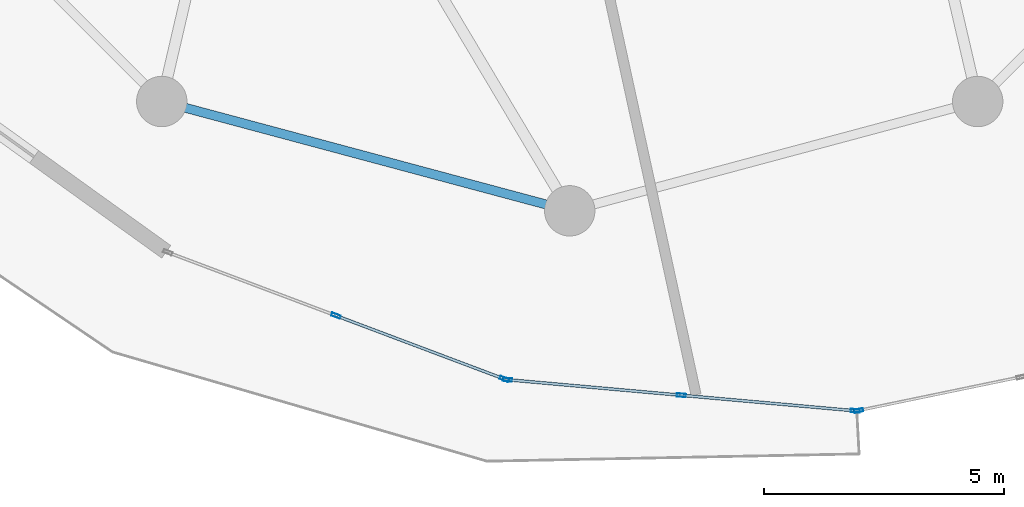
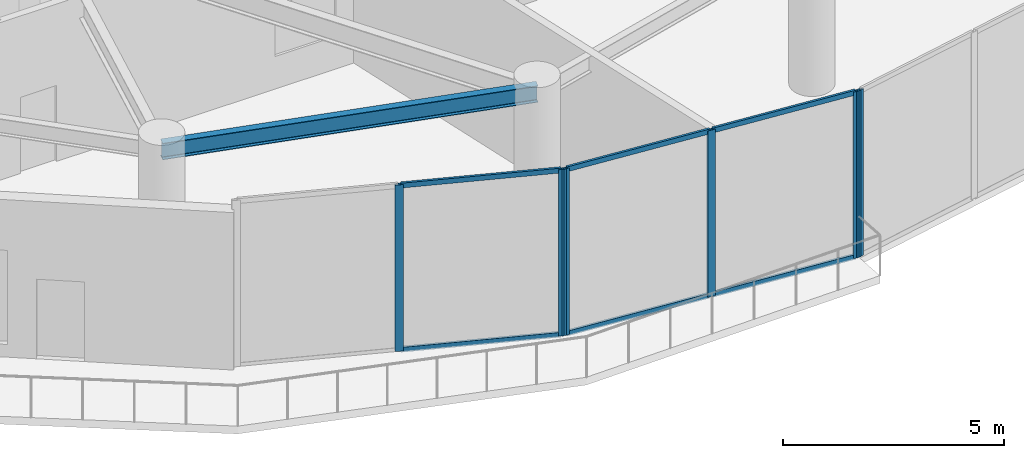
# One storey, part 4 of 28: 12 members, 1 beam, 3 elements without a shape of their own.
"""IFC4 building model written with IfcOpenShell, lengths in metres."""

import ifcopenshell
import ifcopenshell.guid

model = None  # the IFC model being written
_history = None  # IfcOwnerHistory: only IFC2X3 demands one
_inside = {}  # id of a spatial element -> (the spatial element, [elements in it])
_under = {}  # id of a project, library or spatial element -> (it, [spatial elements below it])
_declared = {}  # id of a project -> (the project, [libraries it declares])
_typed = {}  # id of a type object -> (the type object, [elements of that type])
_made_of = {}  # id of a material, layer set ... -> (it, [elements and type objects made of it])


def new_model(schema):
    """Start an empty IFC model of exactly this schema.

    Asked for "IFC4X3", IfcOpenShell would pick the latest addendum, in which some entities
    have other attributes; the version numbers below select the first issue.
    IFC2X3 requires an IfcOwnerHistory on every rooted entity: one is made here for all.
    """
    global model, _history
    if schema == "IFC4X3":
        model = ifcopenshell.file(schema_version=(4, 3, 0, 0))
    else:
        model = ifcopenshell.file(schema=schema)
    _inside.clear()
    _under.clear()
    _declared.clear()
    _typed.clear()
    _made_of.clear()
    _history = None
    if model.schema == "IFC2X3":
        org = make("IfcOrganization", Name="unknown")
        user = make(
            "IfcPersonAndOrganization",
            ThePerson=make("IfcPerson", FamilyName="unknown"),
            TheOrganization=org,
        )
        app = make(
            "IfcApplication",
            ApplicationDeveloper=org,
            Version="unknown",
            ApplicationFullName="unknown",
            ApplicationIdentifier="unknown",
        )
        _history = make(
            "IfcOwnerHistory",
            OwningUser=user,
            OwningApplication=app,
            ChangeAction="ADDED",
            CreationDate=0,
        )
    return model


def make(cls, **values):
    """One entity of the class cls with the attributes given. An attribute that is None is left unset."""
    return model.create_entity(
        cls, **{name: value for name, value in values.items() if value is not None}
    )


def rooted(cls, **values):
    """An entity with a GlobalId (a new one), such as an element, a storey or a relation."""
    return make(cls, GlobalId=ifcopenshell.guid.new(), OwnerHistory=_history, **values)


def si_unit(unit_type, name, prefix=None):
    """IfcSIUnit, for example si_unit("LENGTHUNIT", "METRE", prefix="MILLI")."""
    return make("IfcSIUnit", UnitType=unit_type, Prefix=prefix, Name=name)


def assignment(units):
    """IfcUnitAssignment: the units of a project."""
    return None if units is None else make("IfcUnitAssignment", Units=units)


def point(xyz):
    """IfcCartesianPoint."""
    return None if xyz is None else make("IfcCartesianPoint", Coordinates=xyz)


def direction(xyz):
    """IfcDirection."""
    return None if xyz is None else make("IfcDirection", DirectionRatios=xyz)


def frame(location, z_axis=None, x_axis=None):
    """IfcAxis2Placement3D, a coordinate frame: its origin and axes. An axis left out is left unset."""
    return make(
        "IfcAxis2Placement3D",
        Location=point(location),
        Axis=direction(z_axis),
        RefDirection=direction(x_axis),
    )


def frame_2d(location, x_axis=None):
    """IfcAxis2Placement2D, a coordinate frame in the plane: its origin and x axis."""
    return make(
        "IfcAxis2Placement2D", Location=point(location), RefDirection=direction(x_axis)
    )


def origin():
    """The frame at (0, 0, 0) with its axes left unset."""
    return frame((0.0, 0.0, 0.0))


def origin_2d():
    """The frame at (0, 0) in the plane with its x axis left unset."""
    return frame_2d((0.0, 0.0))


def place(relative_to, where):
    """IfcLocalPlacement: puts the frame where relative to a parent placement (None: the world)."""
    return make(
        "IfcLocalPlacement", PlacementRelTo=relative_to, RelativePlacement=where
    )


def context(
    kind, dimensions, precision=None, world=None, true_north=None, identifier=None
):
    """IfcGeometricRepresentationContext, for example the 3D "Model" context."""
    return make(
        "IfcGeometricRepresentationContext",
        ContextIdentifier=identifier,
        ContextType=kind,
        CoordinateSpaceDimension=dimensions,
        Precision=precision,
        WorldCoordinateSystem=world,
        TrueNorth=true_north,
    )


def subcontext(parent, identifier, kind, view, scale=None):
    """IfcGeometricRepresentationSubContext, for example "Body" below "Model"."""
    return make(
        "IfcGeometricRepresentationSubContext",
        ContextIdentifier=identifier,
        ContextType=kind,
        ParentContext=parent,
        TargetScale=scale,
        TargetView=view,
    )


def project(units=None, contexts=None):
    """IfcProject with its units and contexts."""
    return rooted(
        "IfcProject",
        Name="project",
        RepresentationContexts=contexts,
        UnitsInContext=assignment(units),
    )


def spatial(cls, under=None, at=None, **own):
    """A site, building, storey or space (cls), placed at a placement, below another one or the project."""
    s = rooted(cls, ObjectPlacement=at, **own)
    if under is not None:
        _under.setdefault(under.id(), (under, []))[1].append(s)
    return s


def profile(cls, at=None, kind="AREA", **sizes):
    """A parametric profile (cls). Its sizes go by their IFC names, for example OverallWidth=200.0."""
    return make(cls, ProfileType=kind, Position=at, **sizes)


def hollow_rectangle(**sizes):
    """IfcRectangleHollowProfileDef."""
    return profile("IfcRectangleHollowProfileDef", **sizes)


def i_section(**sizes):
    """IfcIShapeProfileDef."""
    return profile("IfcIShapeProfileDef", **sizes)


def extrude(swept, where, along, depth):
    """IfcExtrudedAreaSolid: the profile swept, set in the frame where, extruded along a direction by depth."""
    return make(
        "IfcExtrudedAreaSolid",
        SweptArea=swept,
        Position=where,
        ExtrudedDirection=direction(along),
        Depth=depth,
    )


def shape(context_of_items, identifier, shape_type, items):
    """IfcShapeRepresentation: the items that make up one representation, for example the "Body"."""
    return make(
        "IfcShapeRepresentation",
        ContextOfItems=context_of_items,
        RepresentationIdentifier=identifier,
        RepresentationType=shape_type,
        Items=items,
    )


def source(mapping_origin, context_of_items, identifier, shape_type, items):
    """IfcRepresentationMap: a shape defined once, which mapped items show again and again."""
    return make(
        "IfcRepresentationMap",
        MappingOrigin=mapping_origin,
        MappedRepresentation=shape(context_of_items, identifier, shape_type, items),
    )


def transform(
    local_origin,
    x_axis=None,
    y_axis=None,
    z_axis=None,
    scale=None,
    scale2=None,
    scale3=None,
    uniform=True,
):
    """IfcCartesianTransformationOperator3D, or its non-uniform kind. x_axis, y_axis, z_axis: its Axis1, 2, 3."""
    if uniform:
        return make(
            "IfcCartesianTransformationOperator3D",
            Axis1=direction(x_axis),
            Axis2=direction(y_axis),
            LocalOrigin=point(local_origin),
            Scale=scale,
            Axis3=direction(z_axis),
        )
    return make(
        "IfcCartesianTransformationOperator3DnonUniform",
        Axis1=direction(x_axis),
        Axis2=direction(y_axis),
        LocalOrigin=point(local_origin),
        Scale=scale,
        Axis3=direction(z_axis),
        Scale2=scale2,
        Scale3=scale3,
    )


def mapped(mapping_source, mapping_target):
    """IfcMappedItem: shows the shape of a source again, moved by a transform."""
    return make(
        "IfcMappedItem", MappingSource=mapping_source, MappingTarget=mapping_target
    )


def material(Name=None, Category=None):
    """IfcMaterial."""
    return make("IfcMaterial", Name=Name, Category=Category)


def layer(
    of_material, thickness, ventilated=None, Name=None, Category=None, Priority=None
):
    """IfcMaterialLayer: one layer of a wall or slab, of a material (None: an air gap)."""
    return make(
        "IfcMaterialLayer",
        Material=of_material,
        LayerThickness=thickness,
        IsVentilated=ventilated,
        Name=Name,
        Category=Category,
        Priority=Priority,
    )


def layer_set(layers, Name=None):
    """IfcMaterialLayerSet."""
    return make("IfcMaterialLayerSet", MaterialLayers=layers, LayerSetName=Name)


def material_profile(
    of_material, cross_section, Name=None, Category=None, Priority=None
):
    """IfcMaterialProfile: a cross section and its material."""
    return make(
        "IfcMaterialProfile",
        Name=Name,
        Material=of_material,
        Profile=cross_section,
        Priority=Priority,
        Category=Category,
    )


def profile_set(profiles, Name=None, composite=None):
    """IfcMaterialProfileSet."""
    return make(
        "IfcMaterialProfileSet",
        Name=Name,
        MaterialProfiles=profiles,
        CompositeProfile=composite,
    )


def made_of(thing, what):
    """Note that an element or type object is made of a material, layer set ...; save() writes the relation."""
    if what is not None:
        _made_of.setdefault(what.id(), (what, []))[1].append(thing)
    return thing


def type_object(cls, material=None, **own):
    """A type object (cls), such as IfcWallType, which elements share."""
    return made_of(rooted(cls, **own), material)


def element(
    cls,
    number,
    at=None,
    inside=None,
    cuts=None,
    type_object=None,
    material=None,
    context=None,
    identifier="Body",
    shape_type=None,
    held_by="IfcProductDefinitionShape",
    body=None,
    shapes=None,
    **own,
):
    """One element of the class cls, such as IfcWall. Its Tag is "e" and its number.

    at: its placement. inside: the storey or other place that contains it. cuts: it is an
    opening in that element (IfcRelVoidsElement). A single representation is given by context,
    identifier, shape_type and body (its items); several are given by shapes. held_by: the class
    of the entity that holds the representations. save() writes the other relations.
    """
    e = rooted(cls, Tag="e%d" % number, ObjectPlacement=at, **own)
    if body is not None:
        shapes = [shape(context, identifier, shape_type, body)]
    if shapes is not None:
        e.Representation = make(held_by, Representations=shapes)
    if inside is not None:
        _inside.setdefault(inside.id(), (inside, []))[1].append(e)
    if cuts is not None:
        rooted(
            "IfcRelVoidsElement", RelatingBuildingElement=cuts, RelatedOpeningElement=e
        )
    if type_object is not None:
        _typed.setdefault(type_object.id(), (type_object, []))[1].append(e)
    return made_of(e, material)


def aggregate(whole, parts):
    """IfcRelAggregates: a whole, such as a stair, and the parts it consists of."""
    return rooted("IfcRelAggregates", RelatingObject=whole, RelatedObjects=parts)


def save(model, path):
    """Write the relations noted so far, then the file.

    IfcRelAggregates (storeys below a building ...), IfcRelContainedInSpatialStructure (elements
    in a storey), IfcRelDefinesByType, IfcRelAssociatesMaterial and IfcRelDeclares: one each for
    every whole, place, type object, material and project.
    """
    for whole, parts in _under.values():
        aggregate(whole, parts)
    for where, things in _inside.values():
        rooted(
            "IfcRelContainedInSpatialStructure",
            RelatedElements=things,
            RelatingStructure=where,
        )
    for kind, things in _typed.values():
        rooted("IfcRelDefinesByType", RelatedObjects=things, RelatingType=kind)
    for what, things in _made_of.values():
        rooted("IfcRelAssociatesMaterial", RelatedObjects=things, RelatingMaterial=what)
    for by, libraries in _declared.values():
        rooted("IfcRelDeclares", RelatingContext=by, RelatedDefinitions=libraries)
    model.write(path)


model = new_model("IFC4")

# Units and contexts
model_context = context("Model", 3, precision=1e-05, world=origin(), true_north=direction((0.0, 1.0)))
body_context = subcontext(model_context, "Body", "Model", "MODEL_VIEW")
ifc_project = project(units=[si_unit("LENGTHUNIT", "METRE"), si_unit("AREAUNIT", "SQUARE_METRE"), si_unit("VOLUMEUNIT", "CUBIC_METRE"), si_unit("PLANEANGLEUNIT", "RADIAN"), si_unit("MASSUNIT", "GRAM", prefix="KILO")], contexts=[model_context])

# Site, building, storey
site_placement = place(None, origin())
site = spatial("IfcSite", under=ifc_project, at=site_placement, CompositionType="ELEMENT")
building_placement = place(site_placement, origin())
building = spatial("IfcBuilding", under=site, at=building_placement, Name="Solvirekh Grand Hotel", CompositionType="ELEMENT")
storey_placement = place(building_placement, frame((0.0, 0.0, 98.0)))
storey = spatial("IfcBuildingStorey", under=building, at=storey_placement, Name="L24", CompositionType="ELEMENT", Elevation=98.0)

# Beam
ifc_material_1 = material(Name="Steel S355", Category="steel")
ifc_material_profile_1 = material_profile(ifc_material_1, i_section(OverallWidth=0.18994140625, OverallDepth=0.45703125, WebThickness=0.009033203125, FlangeThickness=0.013916015625, FilletRadius=0.012939453125, at=origin_2d()), Name="W460X74")
ifc_profile_set_1 = profile_set([ifc_material_profile_1], Name="Steel S355")
beam_type = type_object("IfcBeamType", Name="Spandrel_Ring_W460", PredefinedType="SPANDREL", material=ifc_profile_set_1)
beam_placement = place(storey_placement, frame((-8.5, -14.721923828125, 4.12109375), z_axis=(0.965911391906, -0.258872908946, 0.0), x_axis=(0.258872908946, 0.965911391906, 0.0)))
element("IfcBeam", 1, at=beam_placement, inside=storey, type_object=beam_type, Name="L24 perimeter spandrel beam 9", PredefinedType="SPANDREL", context=body_context, shape_type="SweptSolid", body=[
    extrude(i_section(OverallWidth=0.18994140625, OverallDepth=0.45703125, WebThickness=0.009033203125, FlangeThickness=0.013916015625, FilletRadius=0.012939453125, at=origin_2d()), origin(), (0.0, 0.0, 1.0), 8.800048828125),
])

# Curtain wall, members
ifc_material_2 = material(Name="Anodized Bronze Aluminium 6063-T6", Category="aluminium")
ifc_layer = layer(ifc_material_2, 0.18994140625)
ifc_layer_set = layer_set([ifc_layer], Name="Anodized Bronze Aluminium 6063-T6")
curtain_wall_type = type_object("IfcCurtainWallType", Name="CW_Sys5_SkyLobbyPanoramaCW", PredefinedType="NOTDEFINED", material=ifc_layer_set)
curtain_wall_1_placement = place(storey_placement, origin())
curtain_wall_1 = element("IfcCurtainWall", 2, at=curtain_wall_1_placement, inside=storey, type_object=curtain_wall_type, Name="L24 unitised bronze-glass curtain wall CW-L24-C16", PredefinedType="NOTDEFINED")
ifc_material_profile_2 = material_profile(ifc_material_2, hollow_rectangle(XDim=0.070068359375, YDim=0.18994140625, WallThickness=0.0048828125, at=origin_2d()), Name="ALU RHS 190X70X5")
ifc_profile_set_2 = profile_set([ifc_material_profile_2], Name="Anodized Bronze Aluminium 6063-T6")
member_type_1 = type_object("IfcMemberType", Name="CWMullion_Sys5", PredefinedType="MULLION", material=ifc_profile_set_2)
shared_shape_1 = source(origin(), body_context, "Body", "SweptSolid", [
    extrude(hollow_rectangle(XDim=0.070068359375, YDim=0.18994140625, WallThickness=0.0048828125, at=origin_2d()), origin(), (0.0, 0.0, 1.0), 4.60009765625),
])
member_1_placement = place(storey_placement, frame((-4.869384765625, -19.1845703125, 0.0), z_axis=(0.0, 0.0, 1.0), x_axis=(0.352268419619, 0.935899011934, 0.0)))
member_1 = element("IfcMember", 3, at=member_1_placement, type_object=member_type_1, Name="U05 mullion 2", PredefinedType="MULLION", context=body_context, shape_type="MappedRepresentation", body=[
    mapped(shared_shape_1, transform((0.0, 0.0, 0.0), x_axis=(1.0, 0.0, 0.0), y_axis=(0.0, 1.0, 0.0), z_axis=(0.0, 0.0, 1.0), scale=1.0)),
])
member_2_placement = place(storey_placement, frame((-1.36474609375, -20.503662109375, 0.0), z_axis=(0.0, 0.0, 1.0), x_axis=(0.352268419619, 0.935899011934, 0.0)))
member_2 = element("IfcMember", 4, at=member_2_placement, type_object=member_type_1, Name="U05 mullion 3", PredefinedType="MULLION", context=body_context, shape_type="MappedRepresentation", body=[
    mapped(shared_shape_1, transform((0.0, 0.0, 0.0), x_axis=(1.0, 0.0, 0.0), y_axis=(0.0, 1.0, 0.0), z_axis=(0.0, 0.0, 1.0), scale=1.0)),
])

curtain_wall_2_placement = place(storey_placement, origin())
curtain_wall_2 = element("IfcCurtainWall", 5, at=curtain_wall_2_placement, inside=storey, type_object=curtain_wall_type, Name="L24 unitised bronze-glass curtain wall CW-L24-C17", PredefinedType="NOTDEFINED")
member_3_placement = place(storey_placement, frame((-1.297119140625, -20.51904296875, 0.0), z_axis=(0.0, 0.0, 1.0), x_axis=(0.089025989388, 0.996029303391, 0.0)))
member_3 = element("IfcMember", 6, at=member_3_placement, type_object=member_type_1, Name="U05 mullion 1", PredefinedType="MULLION", context=body_context, shape_type="MappedRepresentation", body=[
    mapped(shared_shape_1, transform((0.0, 0.0, 0.0), x_axis=(1.0, 0.0, 0.0), y_axis=(0.0, 1.0, 0.0), z_axis=(0.0, 0.0, 1.0), scale=1.0)),
])
member_4_placement = place(storey_placement, frame((2.326416015625, -20.843017578125, 0.0), z_axis=(0.0, 0.0, 1.0), x_axis=(0.089025989388, 0.996029303391, 0.0)))
member_4 = element("IfcMember", 7, at=member_4_placement, type_object=member_type_1, Name="U05 mullion 2", PredefinedType="MULLION", context=body_context, shape_type="MappedRepresentation", body=[
    mapped(shared_shape_1, transform((0.0, 0.0, 0.0), x_axis=(1.0, 0.0, 0.0), y_axis=(0.0, 1.0, 0.0), z_axis=(0.0, 0.0, 1.0), scale=1.0)),
])
member_5_placement = place(storey_placement, frame((5.9501953125, -21.1669921875, 0.0), z_axis=(0.0, 0.0, 1.0), x_axis=(0.089025989388, 0.996029303391, 0.0)))
member_5 = element("IfcMember", 8, at=member_5_placement, type_object=member_type_1, Name="U05 mullion 3", PredefinedType="MULLION", context=body_context, shape_type="MappedRepresentation", body=[
    mapped(shared_shape_1, transform((0.0, 0.0, 0.0), x_axis=(1.0, 0.0, 0.0), y_axis=(0.0, 1.0, 0.0), z_axis=(0.0, 0.0, 1.0), scale=1.0)),
])

# Curtain wall, member
curtain_wall_3_placement = place(storey_placement, origin())
curtain_wall_3 = element("IfcCurtainWall", 9, at=curtain_wall_3_placement, inside=storey, type_object=curtain_wall_type, Name="L24 unitised bronze-glass curtain wall CW-L24-C18", PredefinedType="NOTDEFINED")
member_6_placement = place(storey_placement, frame((6.019287109375, -21.162841796875, 0.0), z_axis=(0.0, 0.0, 1.0), x_axis=(-0.202742807709, 0.979232022517, 0.0)))
member_6 = element("IfcMember", 10, at=member_6_placement, type_object=member_type_1, Name="U05 mullion 1", PredefinedType="MULLION", context=body_context, shape_type="MappedRepresentation", body=[
    mapped(shared_shape_1, transform((0.0, 0.0, 0.0), x_axis=(1.0, 0.0, 0.0), y_axis=(0.0, 1.0, 0.0), z_axis=(0.0, 0.0, 1.0), scale=1.0)),
])
aggregate(curtain_wall_3, [member_6])

# Member
ifc_material_profile_3 = material_profile(ifc_material_2, hollow_rectangle(XDim=0.06005859375, YDim=0.135009765625, WallThickness=0.00390625, at=origin_2d()), Name="ALU RHS 135X60X4")
ifc_profile_set_3 = profile_set([ifc_material_profile_3], Name="Anodized Bronze Aluminium 6063-T6")
member_type_2 = type_object("IfcMemberType", Name="CWTransom_Sys5", PredefinedType="USERDEFINED", material=ifc_profile_set_3)
shared_shape_2 = source(origin(), body_context, "Body", "SweptSolid", [
    extrude(hollow_rectangle(XDim=0.06005859375, YDim=0.135009765625, WallThickness=0.00390625, at=origin_2d()), origin(), (0.0, 0.0, 1.0), 3.6748046875),
])
member_7_placement = place(storey_placement, frame((-4.836669921875, -19.19677734375, 0.030029296875), z_axis=(0.935883395564, -0.35230990606, 0.0), x_axis=(0.35230990606, 0.935883395564, 0.0)))
member_7 = element("IfcMember", 11, at=member_7_placement, type_object=member_type_2, Name="U05 transom 2.1", ObjectType="TRANSOM", PredefinedType="USERDEFINED", context=body_context, shape_type="MappedRepresentation", body=[
    mapped(shared_shape_2, transform((0.0, 0.0, 0.0), x_axis=(1.0, 0.0, 0.0), y_axis=(0.0, 1.0, 0.0), z_axis=(0.0, 0.0, 1.0), scale=1.0)),
])

member_8_placement = place(storey_placement, frame((-4.836669921875, -19.19677734375, 4.570068359375), z_axis=(0.935883395564, -0.35230990606, 0.0), x_axis=(0.35230990606, 0.935883395564, 0.0)))
member_8 = element("IfcMember", 12, at=member_8_placement, type_object=member_type_2, Name="U05 transom 2.2", ObjectType="TRANSOM", PredefinedType="USERDEFINED", context=body_context, shape_type="MappedRepresentation", body=[
    mapped(shared_shape_2, transform((0.0, 0.0, 0.0), x_axis=(1.0, 0.0, 0.0), y_axis=(0.0, 1.0, 0.0), z_axis=(0.0, 0.0, 1.0), scale=1.0)),
])

aggregate(curtain_wall_1, [member_1, member_2, member_7, member_8])

shared_shape_3 = source(origin(), body_context, "Body", "SweptSolid", [
    extrude(hollow_rectangle(XDim=0.06005859375, YDim=0.135009765625, WallThickness=0.00390625, at=origin_2d()), origin(), (0.0, 0.0, 1.0), 3.568115234375),
])
member_9_placement = place(storey_placement, frame((-1.26220703125, -20.522216796875, 0.030029296875), z_axis=(0.996030017295, -0.08901800182, 0.0), x_axis=(0.08901800182, 0.996030017295, 0.0)))
member_9 = element("IfcMember", 13, at=member_9_placement, type_object=member_type_2, Name="U05 transom 1.1", ObjectType="TRANSOM", PredefinedType="USERDEFINED", context=body_context, shape_type="MappedRepresentation", body=[
    mapped(shared_shape_3, transform((0.0, 0.0, 0.0), x_axis=(1.0, 0.0, 0.0), y_axis=(0.0, 1.0, 0.0), z_axis=(0.0, 0.0, 1.0), scale=1.0)),
])

member_10_placement = place(storey_placement, frame((-1.26220703125, -20.522216796875, 4.570068359375), z_axis=(0.996030017295, -0.08901800182, 0.0), x_axis=(0.08901800182, 0.996030017295, 0.0)))
member_10 = element("IfcMember", 14, at=member_10_placement, type_object=member_type_2, Name="U05 transom 1.2", ObjectType="TRANSOM", PredefinedType="USERDEFINED", context=body_context, shape_type="MappedRepresentation", body=[
    mapped(shared_shape_3, transform((0.0, 0.0, 0.0), x_axis=(1.0, 0.0, 0.0), y_axis=(0.0, 1.0, 0.0), z_axis=(0.0, 0.0, 1.0), scale=1.0)),
])

member_11_placement = place(storey_placement, frame((2.361328125, -20.84619140625, 0.030029296875), z_axis=(0.996030017295, -0.08901800182, 0.0), x_axis=(0.08901800182, 0.996030017295, 0.0)))
member_11 = element("IfcMember", 15, at=member_11_placement, type_object=member_type_2, Name="U05 transom 2.1", ObjectType="TRANSOM", PredefinedType="USERDEFINED", context=body_context, shape_type="MappedRepresentation", body=[
    mapped(shared_shape_3, transform((0.0, 0.0, 0.0), x_axis=(1.0, 0.0, 0.0), y_axis=(0.0, 1.0, 0.0), z_axis=(0.0, 0.0, 1.0), scale=1.0)),
])

member_12_placement = place(storey_placement, frame((2.361328125, -20.84619140625, 4.570068359375), z_axis=(0.996030017295, -0.08901800182, 0.0), x_axis=(0.08901800182, 0.996030017295, 0.0)))
member_12 = element("IfcMember", 16, at=member_12_placement, type_object=member_type_2, Name="U05 transom 2.2", ObjectType="TRANSOM", PredefinedType="USERDEFINED", context=body_context, shape_type="MappedRepresentation", body=[
    mapped(shared_shape_3, transform((0.0, 0.0, 0.0), x_axis=(1.0, 0.0, 0.0), y_axis=(0.0, 1.0, 0.0), z_axis=(0.0, 0.0, 1.0), scale=1.0)),
])

aggregate(curtain_wall_2, [member_3, member_4, member_5, member_9, member_10, member_11, member_12])

save(model, "model.ifc")
